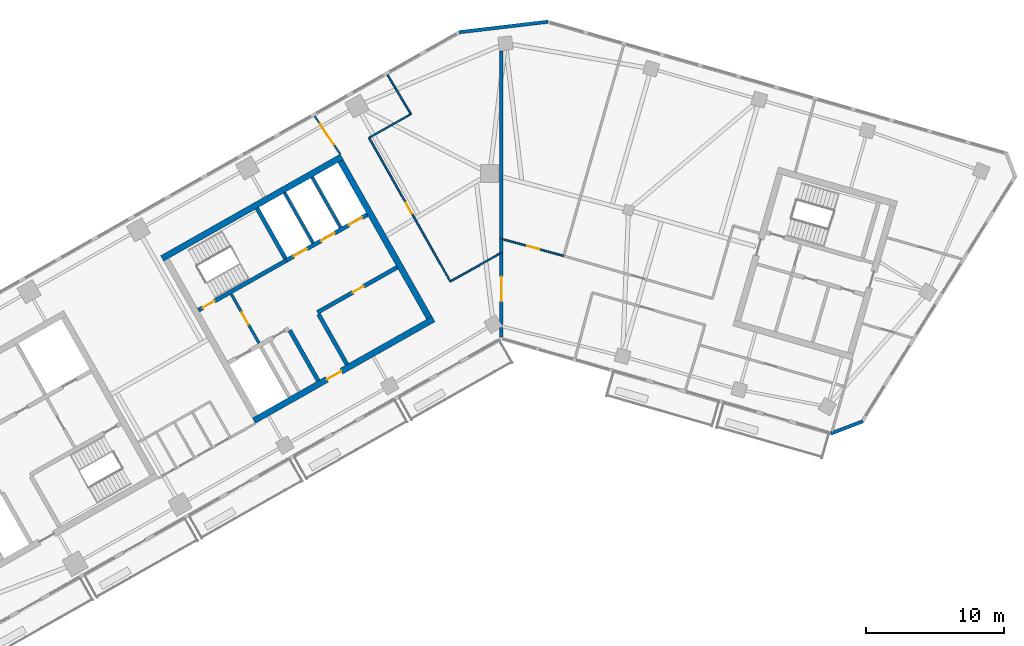
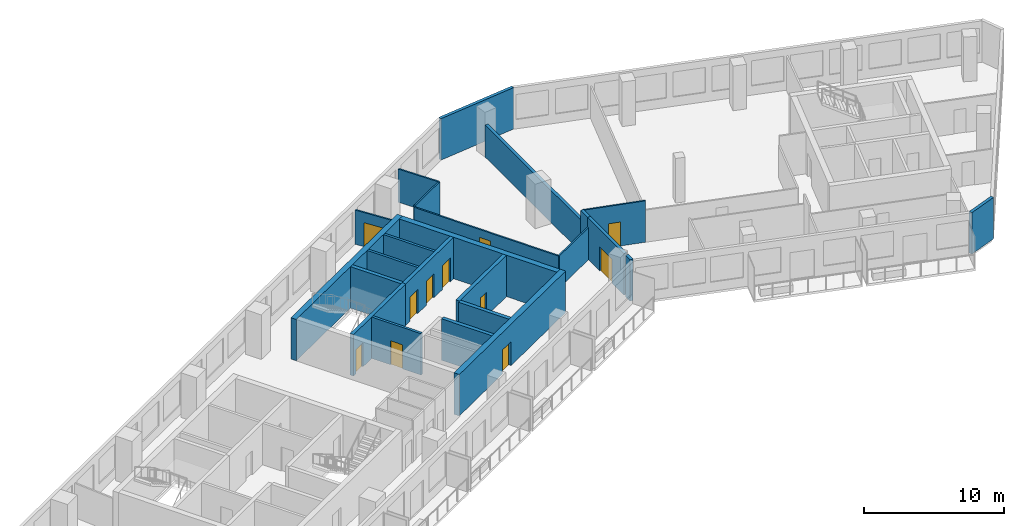
# One storey, part 6 of 12: 24 walls, 11 doors, 11 openings.
"""IFC4 building model written with IfcOpenShell, lengths in metres."""

from ifc_helpers import new_model, si_unit, direction, frame, frame_2d, origin, place, context, subcontext, project, spatial, rectangle, extrude, material, layer, layer_set, type_object, element, fill, save


model = new_model("IFC4")

# Units and contexts
model_context = context("Model", 3, precision=1e-05, world=origin(), true_north=direction((0.0, 1.0)))
body_context = subcontext(model_context, "Body", "Model", "MODEL_VIEW")
ifc_project = project(units=[si_unit("LENGTHUNIT", "METRE"), si_unit("AREAUNIT", "SQUARE_METRE"), si_unit("VOLUMEUNIT", "CUBIC_METRE"), si_unit("PLANEANGLEUNIT", "RADIAN"), si_unit("MASSUNIT", "GRAM", prefix="KILO")], contexts=[model_context])

# Site, building, storey
site_placement = place(None, origin())
site = spatial("IfcSite", under=ifc_project, at=site_placement, CompositionType="ELEMENT")
building_placement = place(site_placement, origin())
building = spatial("IfcBuilding", under=site, at=building_placement, Name="Binnacle Exchange Tower", CompositionType="ELEMENT")
storey_placement = place(building_placement, frame((0.0, 0.0, 250.39990234375)))
storey = spatial("IfcBuildingStorey", under=building, at=storey_placement, Name="L55", CompositionType="ELEMENT", Elevation=250.39990234375)

# Wall, opening, door
ifc_material_1 = material(Name="Concrete C70/85", Category="concrete")
ifc_layer_1 = layer(ifc_material_1, 0.300048828125)
ifc_layer_set_1 = layer_set([ifc_layer_1], Name="Core wall - front 300")
wall_type_1 = type_object("IfcWallType", Name="Core wall - front 300", PredefinedType="SOLIDWALL", material=ifc_layer_set_1)
wall_1_placement = place(storey_placement, frame((-13.364501953125, 49.910888671875, 0.0), z_axis=(0.0, 0.0, 1.0), x_axis=(0.870352159619, 0.492429810477, 0.0)))
wall_1 = element("IfcWall", 1, at=wall_1_placement, inside=storey, type_object=wall_type_1, Name="Core wall CRWC3", PredefinedType="SOLIDWALL", context=body_context, shape_type="SweptSolid", body=[
    extrude(rectangle(XDim=6.64990234375, YDim=0.300048828125, at=frame_2d((3.324951171875, 0.0))), origin(), (0.0, 0.0, 1.0), 3.6201171875),
])
opening_1_placement = place(wall_1_placement, frame((2.949951171875, 0.0, 0.0)))
opening_1 = element("IfcOpeningElement", 2, at=opening_1_placement, cuts=wall_1, Name="Opening DC18", PredefinedType="OPENING", context=body_context, shape_type="SweptSolid", body=[
    extrude(rectangle(XDim=0.89990234375, YDim=2.10009765625, at=frame_2d((0.449951171875, 1.050048828125))), frame((0.0, 0.159912109375, 0.0), z_axis=(0.0, -1.0, 0.0), x_axis=(1.0, 0.0, 0.0)), (0.0, 0.0, 1.0), 0.320068359375),
])
ifc_material_2 = material(Name="Steel door leaf", Category="steel")
door_type_1 = type_object("IfcDoorType", Name="Fire door 900", OperationType="NOTDEFINED", PredefinedType="DOOR", material=ifc_material_2)
door_1_placement = place(opening_1_placement, frame((0.89990234375, 0.0, 0.0), z_axis=(0.0, 0.0, 1.0), x_axis=(-1.0, 0.0, 0.0)))
door_1 = element("IfcDoor", 3, at=door_1_placement, inside=storey, type_object=door_type_1, Name="Core room door STAFF PANTRY AND STORE", OperationType="SINGLE_SWING_LEFT", OverallHeight=2.10009765625, OverallWidth=0.89990234375, PredefinedType="DOOR", context=body_context, shape_type="SweptSolid", body=[
    extrude(rectangle(XDim=0.89990234375, YDim=2.10009765625, at=frame_2d((0.449951171875, 1.050048828125))), frame((0.0, 0.02490234375, 0.0), z_axis=(0.0, -1.0, 0.0), x_axis=(1.0, 0.0, 0.0)), (0.0, 0.0, 1.0), 0.050048828125),
])
fill(opening_1, door_1)

# Wall, openings, doors
wall_2_placement = place(storey_placement, frame((-15.6181640625, 53.69140625, 0.0), z_axis=(0.0, 0.0, 1.0), x_axis=(0.870358646884, 0.492418344291, 0.0)))
wall_2 = element("IfcWall", 4, at=wall_2_placement, inside=storey, type_object=wall_type_1, Name="Core wall CRWC5", PredefinedType="SOLIDWALL", context=body_context, shape_type="SweptSolid", body=[
    extrude(rectangle(XDim=6.749755859375, YDim=0.300048828125, at=frame_2d((3.375, 0.0))), origin(), (0.0, 0.0, 1.0), 3.6201171875),
])
opening_2_placement = place(wall_2_placement, frame((0.60009765625, 0.0, 0.0)))
opening_2 = element("IfcOpeningElement", 5, at=opening_2_placement, cuts=wall_2, Name="Opening LD5", PredefinedType="OPENING", context=body_context, shape_type="SweptSolid", body=[
    extrude(rectangle(XDim=1.10009765625, YDim=2.10009765625, at=frame_2d((0.550048828125, 1.050048828125))), frame((0.0, 0.159912109375, 0.0), z_axis=(0.0, -1.0, 0.0), x_axis=(1.0, 0.0, 0.0)), (0.0, 0.0, 1.0), 0.320068359375),
])
opening_3_placement = place(wall_2_placement, frame((2.89990234375, 0.0, 0.0)))
opening_3 = element("IfcOpeningElement", 6, at=opening_3_placement, cuts=wall_2, Name="Opening LD6", PredefinedType="OPENING", context=body_context, shape_type="SweptSolid", body=[
    extrude(rectangle(XDim=1.10009765625, YDim=2.10009765625, at=frame_2d((0.550048828125, 1.050048828125))), frame((0.0, 0.159912109375, 0.0), z_axis=(0.0, -1.0, 0.0), x_axis=(1.0, 0.0, 0.0)), (0.0, 0.0, 1.0), 0.320068359375),
])
opening_4_placement = place(wall_2_placement, frame((5.199951171875, 0.0, 0.0)))
opening_4 = element("IfcOpeningElement", 7, at=opening_4_placement, cuts=wall_2, Name="Opening LD7", PredefinedType="OPENING", context=body_context, shape_type="SweptSolid", body=[
    extrude(rectangle(XDim=1.10009765625, YDim=2.10009765625, at=frame_2d((0.550048828125, 1.050048828125))), frame((0.0, 0.159912109375, 0.0), z_axis=(0.0, -1.0, 0.0), x_axis=(1.0, 0.0, 0.0)), (0.0, 0.0, 1.0), 0.320068359375),
])
door_type_2 = type_object("IfcDoorType", Name="Fire door - lift landing 1100", OperationType="NOTDEFINED", PredefinedType="DOOR", material=ifc_material_2)
door_2_placement = place(opening_2_placement, origin())
door_2 = element("IfcDoor", 8, at=door_2_placement, inside=storey, type_object=door_type_2, Name="Landing door LD5 L55", OperationType="DOUBLE_DOOR_SLIDING", OverallHeight=2.10009765625, OverallWidth=1.10009765625, PredefinedType="DOOR", context=body_context, shape_type="SweptSolid", body=[
    extrude(rectangle(XDim=1.10009765625, YDim=2.10009765625, at=frame_2d((0.550048828125, 1.050048828125))), frame((0.0, 0.02490234375, 0.0), z_axis=(0.0, -1.0, 0.0), x_axis=(1.0, 0.0, 0.0)), (0.0, 0.0, 1.0), 0.050048828125),
])
fill(opening_2, door_2)
door_3_placement = place(opening_3_placement, origin())
door_3 = element("IfcDoor", 9, at=door_3_placement, inside=storey, type_object=door_type_2, Name="Landing door LD6 L55", OperationType="DOUBLE_DOOR_SLIDING", OverallHeight=2.10009765625, OverallWidth=1.10009765625, PredefinedType="DOOR", context=body_context, shape_type="SweptSolid", body=[
    extrude(rectangle(XDim=1.10009765625, YDim=2.10009765625, at=frame_2d((0.550048828125, 1.050048828125))), frame((0.0, 0.02490234375, 0.0), z_axis=(0.0, -1.0, 0.0), x_axis=(1.0, 0.0, 0.0)), (0.0, 0.0, 1.0), 0.050048828125),
])
fill(opening_3, door_3)
door_4_placement = place(opening_4_placement, origin())
door_4 = element("IfcDoor", 10, at=door_4_placement, inside=storey, type_object=door_type_2, Name="Landing door LD7 L55", OperationType="DOUBLE_DOOR_SLIDING", OverallHeight=2.10009765625, OverallWidth=1.10009765625, PredefinedType="DOOR", context=body_context, shape_type="SweptSolid", body=[
    extrude(rectangle(XDim=1.10009765625, YDim=2.10009765625, at=frame_2d((0.550048828125, 1.050048828125))), frame((0.0, 0.02490234375, 0.0), z_axis=(0.0, -1.0, 0.0), x_axis=(1.0, 0.0, 0.0)), (0.0, 0.0, 1.0), 0.050048828125),
])
fill(opening_4, door_4)

# Walls
for number, where, z_axis, x_axis, name in (
    (11, (-15.37939453125, 48.5986328125, 0.0), (0.0, 0.0, 1.0), (0.492409653846, -0.870363563575, 0.0), "Core wall CRWC13"),
    (12, (-13.29052734375, 49.780517578125, 0.0), (0.0, 0.0, 1.0), (0.492409653846, -0.870363563575, 0.0), "Core wall CRWC15"),
):
    element("IfcWall", number, at=place(storey_placement, frame(where, z_axis=z_axis, x_axis=x_axis)), inside=storey, type_object=wall_type_1, Name=name, PredefinedType="SOLIDWALL", context=body_context, shape_type="SweptSolid", body=[
        extrude(rectangle(XDim=4.199951171875, YDim=0.300048828125, at=frame_2d((2.10009765625, 0.0))), origin(), (0.0, 0.0, 1.0), 3.6201171875),
    ])

# Wall, opening, door
ifc_layer_2 = layer(ifc_material_1, 0.449951171875)
ifc_layer_set_2 = layer_set([ifc_layer_2], Name="Core wall - outer 450")
wall_type_2 = type_object("IfcWallType", Name="Core wall - outer 450", PredefinedType="SOLIDWALL", material=ifc_layer_set_2)
wall_3_placement = place(storey_placement, frame((-17.987548828125, 42.0390625, 0.0), z_axis=(0.0, 0.0, 1.0), x_axis=(0.870360574057, 0.492414937962, 0.0)))
wall_3 = element("IfcWall", 13, at=wall_3_placement, inside=storey, type_object=wall_type_2, Name="Core wall CRWC1", PredefinedType="SOLIDWALL", context=body_context, shape_type="SweptSolid", body=[
    extrude(rectangle(XDim=15.0, YDim=0.449951171875, at=frame_2d((7.5, 0.0))), origin(), (0.0, 0.0, 1.0), 3.6201171875),
])
opening_5_placement = place(wall_3_placement, frame((6.10009765625, 0.0, 0.0)))
opening_5 = element("IfcOpeningElement", 14, at=opening_5_placement, cuts=wall_3, Name="Opening DC7", PredefinedType="OPENING", context=body_context, shape_type="SweptSolid", body=[
    extrude(rectangle(XDim=1.199951171875, YDim=2.10009765625, at=frame_2d((0.60009765625, 1.050048828125))), frame((0.0, 0.23486328125, 0.0), z_axis=(0.0, -1.0, 0.0), x_axis=(1.0, 0.0, 0.0)), (0.0, 0.0, 1.0), 0.469970703125),
])
door_type_3 = type_object("IfcDoorType", Name="Fire door 1200", OperationType="NOTDEFINED", PredefinedType="DOOR", material=ifc_material_2)
door_5_placement = place(opening_5_placement, frame((1.199951171875, 0.0, 0.0), z_axis=(0.0, 0.0, 1.0), x_axis=(-1.0, 0.0, 0.0)))
door_5 = element("IfcDoor", 15, at=door_5_placement, inside=storey, type_object=door_type_3, Name="Lift lobby entrance door core C", OperationType="SINGLE_SWING_RIGHT", OverallHeight=2.10009765625, OverallWidth=1.199951171875, PredefinedType="DOOR", context=body_context, shape_type="SweptSolid", body=[
    extrude(rectangle(XDim=1.199951171875, YDim=2.10009765625, at=frame_2d((0.60009765625, 1.050048828125))), frame((0.0, 0.02490234375, 0.0), z_axis=(0.0, -1.0, 0.0), x_axis=(1.0, 0.0, 0.0)), (0.0, 0.0, 1.0), 0.050048828125),
])
fill(opening_5, door_5)

# Walls
wall_4_placement = place(storey_placement, frame((-24.659912109375, 53.832275390625, 0.0), z_axis=(0.0, 0.0, 1.0), x_axis=(0.870353598469, 0.492427267353, 0.0)))
element("IfcWall", 16, at=wall_4_placement, inside=storey, type_object=wall_type_2, Name="Core wall CRWC6", PredefinedType="SOLIDWALL", context=body_context, shape_type="SweptSolid", body=[
    extrude(rectangle(XDim=15.000244140625, YDim=0.449951171875, at=frame_2d((7.5, 0.0))), origin(), (0.0, 0.0, 1.0), 3.6201171875),
])
wall_5_placement = place(storey_placement, frame((-11.689453125, 60.912109375, 0.0), z_axis=(0.0, 0.0, 1.0), x_axis=(0.492421378713, -0.870356930107, 0.0)))
element("IfcWall", 17, at=wall_5_placement, inside=storey, type_object=wall_type_2, Name="Core wall CRWC24", PredefinedType="SOLIDWALL", context=body_context, shape_type="SweptSolid", body=[
    extrude(rectangle(XDim=13.099853515625, YDim=0.449951171875, at=frame_2d((6.5498046875, 0.0))), origin(), (0.0, 0.0, 1.0), 3.6201171875),
])

# Wall, opening, door
ifc_layer_3 = layer(ifc_material_1, 0.300048828125)
ifc_layer_set_3 = layer_set([ifc_layer_3], Name="Core wall - stair 300")
wall_type_3 = type_object("IfcWallType", Name="Core wall - stair 300", PredefinedType="SOLIDWALL", material=ifc_layer_set_3)
wall_6_placement = place(storey_placement, frame((-22.015380859375, 50.072021484375, 0.0), z_axis=(0.0, 0.0, 1.0), x_axis=(0.870354900257, 0.492424966466, 0.0)))
wall_6 = element("IfcWall", 18, at=wall_6_placement, inside=storey, type_object=wall_type_3, Name="Core wall CRWC4", PredefinedType="SOLIDWALL", context=body_context, shape_type="SweptSolid", body=[
    extrude(rectangle(XDim=7.35009765625, YDim=0.300048828125, at=frame_2d((3.675048828125, 0.0))), origin(), (0.0, 0.0, 1.0), 3.6201171875),
])
opening_6_placement = place(wall_6_placement, frame((0.35009765625, 0.0, 0.0)))
opening_6 = element("IfcOpeningElement", 19, at=opening_6_placement, cuts=wall_6, Name="Opening DC1", PredefinedType="OPENING", context=body_context, shape_type="SweptSolid", body=[
    extrude(rectangle(XDim=1.0, YDim=2.10009765625, at=frame_2d((0.5, 1.050048828125))), frame((0.0, 0.159912109375, 0.0), z_axis=(0.0, -1.0, 0.0), x_axis=(1.0, 0.0, 0.0)), (0.0, 0.0, 1.0), 0.320068359375),
])
door_type_4 = type_object("IfcDoorType", Name="Fire door 1000", OperationType="NOTDEFINED", PredefinedType="DOOR", material=ifc_material_2)
door_6_placement = place(opening_6_placement, origin())
door_6 = element("IfcDoor", 20, at=door_6_placement, inside=storey, type_object=door_type_4, Name="Stair door ST-C1", OperationType="SINGLE_SWING_LEFT", OverallHeight=2.10009765625, OverallWidth=1.0, PredefinedType="DOOR", context=body_context, shape_type="SweptSolid", body=[
    extrude(rectangle(XDim=1.0, YDim=2.10009765625, at=frame_2d((0.5, 1.050048828125))), frame((0.0, 0.02490234375, 0.0), z_axis=(0.0, -1.0, 0.0), x_axis=(1.0, 0.0, 0.0)), (0.0, 0.0, 1.0), 0.050048828125),
])
fill(opening_6, door_6)

# Walls
wall_7_placement = place(storey_placement, frame((-17.76025390625, 57.477294921875, 0.0), z_axis=(0.0, 0.0, 1.0), x_axis=(0.49243456751, -0.870349468157, 0.0)))
element("IfcWall", 21, at=wall_7_placement, inside=storey, type_object=wall_type_3, Name="Core wall CRWC14", PredefinedType="SOLIDWALL", context=body_context, shape_type="SweptSolid", body=[
    extrude(rectangle(XDim=4.19970703125, YDim=0.300048828125, at=frame_2d((2.099853515625, 0.0))), origin(), (0.0, 0.0, 1.0), 3.6201171875),
])
ifc_material_3 = material(Name="Bronze aluminium cladding", Category="aluminium")
ifc_layer_4 = layer(ifc_material_3, 0.25)
ifc_layer_set_4 = layer_set([ifc_layer_4], Name="External wall - window wall 250")
wall_type_4 = type_object("IfcWallType", Name="External wall - window wall 250", PredefinedType="STANDARD", material=ifc_layer_set_4)
wall_8_placement = place(storey_placement, frame((26.27001953125, 41.993408203125, 0.0), z_axis=(0.0, 0.0, 1.0), x_axis=(-0.933573798066, -0.358385216722, 0.0)))
element("IfcWall", 22, at=wall_8_placement, inside=storey, type_object=wall_type_4, Name="External wall EW-G03 L55", PredefinedType="STANDARD", context=body_context, shape_type="SweptSolid", body=[
    extrude(rectangle(XDim=2.479736328125, YDim=0.25, at=frame_2d((1.23974609375, 0.0))), origin(), (0.0, 0.0, 1.0), 3.6201171875),
])
wall_9_placement = place(storey_placement, frame((-3.0712890625, 70.2734375, 0.0), z_axis=(0.0, 0.0, 1.0), x_axis=(0.993064524962, 0.11757061394, 0.0)))
element("IfcWall", 23, at=wall_9_placement, inside=storey, type_object=wall_type_4, Name="External wall EW-G07 L55", PredefinedType="STANDARD", context=body_context, shape_type="SweptSolid", body=[
    extrude(rectangle(XDim=6.505859375, YDim=0.25, at=frame_2d((3.2529296875, 0.0))), origin(), (0.0, 0.0, 1.0), 3.6201171875),
])
ifc_material_4 = material(Name="Concrete fire wall C30/37", Category="concrete")
ifc_layer_5 = layer(ifc_material_4, 0.25)
ifc_layer_set_5 = layer_set([ifc_layer_5], Name="Fire wall - compartment 250")
wall_type_5 = type_object("IfcWallType", Name="Fire wall - compartment 250", PredefinedType="PARTITIONING", material=ifc_layer_set_5)
wall_10_placement = place(storey_placement, frame((0.0, 48.1298828125, 0.0), z_axis=(0.0, 0.0, 1.0), x_axis=(0.0, 1.0, 0.0)))
element("IfcWall", 24, at=wall_10_placement, inside=storey, type_object=wall_type_5, Name="Fire Wall W21", PredefinedType="PARTITIONING", context=body_context, shape_type="SweptSolid", body=[
    extrude(rectangle(XDim=0.674072265625, YDim=0.25, at=frame_2d((0.3369140625, 0.0))), origin(), (0.0, 0.0, 1.0), 3.6201171875),
])

# Wall, opening, door
wall_11_placement = place(storey_placement, frame((0.0, 49.014892578125, 0.0), z_axis=(0.0, 0.0, 1.0), x_axis=(0.0, 1.0, 0.0)))
wall_11 = element("IfcWall", 25, at=wall_11_placement, inside=storey, type_object=wall_type_5, Name="Fire Wall W22", PredefinedType="PARTITIONING", context=body_context, shape_type="SweptSolid", body=[
    extrude(rectangle(XDim=5.235107421875, YDim=0.25, at=frame_2d((2.61767578125, 0.0))), origin(), (0.0, 0.0, 1.0), 3.6201171875),
])
opening_7_placement = place(wall_11_placement, frame((1.699951171875, 0.0, 0.0)))
opening_7 = element("IfcOpeningElement", 26, at=opening_7_placement, cuts=wall_11, Name="Opening DL55-14", PredefinedType="OPENING", context=body_context, shape_type="SweptSolid", body=[
    extrude(rectangle(XDim=1.800048828125, YDim=2.10009765625, at=frame_2d((0.89990234375, 1.050048828125))), frame((0.0, 0.135009765625, 0.0), z_axis=(0.0, -1.0, 0.0), x_axis=(1.0, 0.0, 0.0)), (0.0, 0.0, 1.0), 0.27001953125),
])
door_type_5 = type_object("IfcDoorType", Name="Fire door 1800", OperationType="NOTDEFINED", PredefinedType="DOOR", material=ifc_material_2)
door_7_placement = place(opening_7_placement, origin())
door_7 = element("IfcDoor", 27, at=door_7_placement, inside=storey, type_object=door_type_5, Name="Door DL55-14", OperationType="DOUBLE_DOOR_SINGLE_SWING", OverallHeight=2.10009765625, OverallWidth=1.800048828125, PredefinedType="DOOR", context=body_context, shape_type="SweptSolid", body=[
    extrude(rectangle(XDim=1.800048828125, YDim=2.10009765625, at=frame_2d((0.89990234375, 1.050048828125))), frame((0.0, 0.02490234375, 0.0), z_axis=(0.0, -1.0, 0.0), x_axis=(1.0, 0.0, 0.0)), (0.0, 0.0, 1.0), 0.050048828125),
])
fill(opening_7, door_7)

# Walls
wall_12_placement = place(storey_placement, frame((0.0, 54.25, 0.0), z_axis=(0.0, 0.0, 1.0), x_axis=(0.0, 1.0, 0.0)))
element("IfcWall", 28, at=wall_12_placement, inside=storey, type_object=wall_type_5, Name="Fire Wall W23", PredefinedType="PARTITIONING", context=body_context, shape_type="SweptSolid", body=[
    extrude(rectangle(XDim=1.0, YDim=0.25, at=frame_2d((0.5, 0.0))), origin(), (0.0, 0.0, 1.0), 3.6201171875),
])
wall_13_placement = place(storey_placement, frame((0.0, 55.25, 0.0), z_axis=(0.0, 0.0, 1.0), x_axis=(0.0, 1.0, 0.0)))
element("IfcWall", 29, at=wall_13_placement, inside=storey, type_object=wall_type_5, Name="Fire Wall W24", PredefinedType="PARTITIONING", context=body_context, shape_type="SweptSolid", body=[
    extrude(rectangle(XDim=13.675048828125, YDim=0.25, at=frame_2d((6.83740234375, 0.0))), origin(), (0.0, 0.0, 1.0), 2.800048828125),
])

# Wall, opening, door
ifc_material_5 = material(Name="Masonry block wall", Category="masonry")
ifc_layer_6 = layer(ifc_material_5, 0.199951171875)
ifc_layer_set_6 = layer_set([ifc_layer_6], Name="Fire wall - vestibule 200")
wall_type_6 = type_object("IfcWallType", Name="Fire wall - vestibule 200", PredefinedType="PARTITIONING", material=ifc_layer_set_6)
wall_14_placement = place(storey_placement, frame((-19.635009765625, 51.246337890625, 0.0), z_axis=(0.0, 0.0, 1.0), x_axis=(0.492408451753, -0.87036424366, 0.0)))
wall_14 = element("IfcWall", 30, at=wall_14_placement, inside=storey, type_object=wall_type_6, Name="Core wall CRWC10", PredefinedType="PARTITIONING", context=body_context, shape_type="SweptSolid", body=[
    extrude(rectangle(XDim=4.099853515625, YDim=0.199951171875, at=frame_2d((2.0498046875, 0.0))), origin(), (0.0, 0.0, 1.0), 3.6201171875),
])
opening_8_placement = place(wall_14_placement, frame((1.550048828125, 0.0, 0.0)))
opening_8 = element("IfcOpeningElement", 31, at=opening_8_placement, cuts=wall_14, Name="Opening DC3", PredefinedType="OPENING", context=body_context, shape_type="SweptSolid", body=[
    extrude(rectangle(XDim=1.0, YDim=2.10009765625, at=frame_2d((0.5, 1.050048828125))), frame((0.0, 0.10986328125, 0.0), z_axis=(0.0, -1.0, 0.0), x_axis=(1.0, 0.0, 0.0)), (0.0, 0.0, 1.0), 0.219970703125),
])
door_8_placement = place(opening_8_placement, frame((1.0, 0.0, 0.0), z_axis=(0.0, 0.0, 1.0), x_axis=(-1.0, 0.0, 0.0)))
door_8 = element("IfcDoor", 32, at=door_8_placement, inside=storey, type_object=door_type_4, Name="Vestibule door VEST-W", OperationType="SINGLE_SWING_RIGHT", OverallHeight=2.10009765625, OverallWidth=1.0, PredefinedType="DOOR", context=body_context, shape_type="SweptSolid", body=[
    extrude(rectangle(XDim=1.0, YDim=2.10009765625, at=frame_2d((0.5, 1.050048828125))), frame((0.0, 0.02490234375, 0.0), z_axis=(0.0, -1.0, 0.0), x_axis=(1.0, 0.0, 0.0)), (0.0, 0.0, 1.0), 0.050048828125),
])
fill(opening_8, door_8)

ifc_material_6 = material(Name="Gypsum partition")
ifc_layer_7 = layer(ifc_material_6, 0.125)
ifc_layer_set_7 = layer_set([ifc_layer_7], Name="Partition 125")
wall_type_7 = type_object("IfcWallType", Name="Partition 125", PredefinedType="PARTITIONING", material=ifc_layer_set_7)
wall_15_placement = place(storey_placement, frame((-13.571044921875, 64.177978515625, 0.0), z_axis=(0.0, 0.0, 1.0), x_axis=(0.557472457511, -0.830195434291, 0.0)))
wall_15 = element("IfcWall", 33, at=wall_15_placement, inside=storey, type_object=wall_type_7, Name="Partition W16", PredefinedType="PARTITIONING", context=body_context, shape_type="SweptSolid", body=[
    extrude(rectangle(XDim=3.329345703125, YDim=0.125, at=frame_2d((1.66455078125, 0.0))), origin(), (0.0, 0.0, 1.0), 2.988037109375),
])
opening_9_placement = place(wall_15_placement, frame((0.699951171875, 0.0, 0.0)))
opening_9 = element("IfcOpeningElement", 34, at=opening_9_placement, cuts=wall_15, Name="Opening DL55-06", PredefinedType="OPENING", context=body_context, shape_type="SweptSolid", body=[
    extrude(rectangle(XDim=1.800048828125, YDim=2.10009765625, at=frame_2d((0.89990234375, 1.050048828125))), frame((0.0, 0.072509765625, 0.0), z_axis=(0.0, -1.0, 0.0), x_axis=(1.0, 0.0, 0.0)), (0.0, 0.0, 1.0), 0.14501953125),
])
ifc_material_7 = material(Name="Timber door leaf", Category="wood")
door_type_6 = type_object("IfcDoorType", Name="Double door 1800", OperationType="NOTDEFINED", PredefinedType="DOOR", material=ifc_material_7)
door_9_placement = place(opening_9_placement, frame((1.800048828125, 0.0, 0.0), z_axis=(0.0, 0.0, 1.0), x_axis=(-1.0, 0.0, 0.0)))
door_9 = element("IfcDoor", 35, at=door_9_placement, inside=storey, type_object=door_type_6, Name="Door DL55-06", OperationType="DOUBLE_DOOR_SINGLE_SWING", OverallHeight=2.10009765625, OverallWidth=1.800048828125, PredefinedType="DOOR", context=body_context, shape_type="SweptSolid", body=[
    extrude(rectangle(XDim=1.800048828125, YDim=2.10009765625, at=frame_2d((0.89990234375, 1.050048828125))), frame((0.0, 0.02490234375, 0.0), z_axis=(0.0, -1.0, 0.0), x_axis=(1.0, 0.0, 0.0)), (0.0, 0.0, 1.0), 0.050048828125),
])
fill(opening_9, door_9)

# Wall
wall_16_placement = place(storey_placement, frame((-9.617919921875, 62.60107421875, 0.0), z_axis=(0.0, 0.0, 1.0), x_axis=(0.870402970255, 0.492339993675, 0.0)))
element("IfcWall", 36, at=wall_16_placement, inside=storey, type_object=wall_type_7, Name="Partition W17", PredefinedType="PARTITIONING", context=body_context, shape_type="SweptSolid", body=[
    extrude(rectangle(XDim=3.49951171875, YDim=0.125, at=frame_2d((1.749755859375, 0.0))), origin(), (0.0, 0.0, 1.0), 2.900146484375),
])

# Wall, opening, door
wall_17_placement = place(storey_placement, frame((-9.617919921875, 62.60107421875, 0.0), z_axis=(0.0, 0.0, 1.0), x_axis=(0.492420575123, -0.870357384754, 0.0)))
wall_17 = element("IfcWall", 37, at=wall_17_placement, inside=storey, type_object=wall_type_7, Name="Partition W18", PredefinedType="PARTITIONING", context=body_context, shape_type="SweptSolid", body=[
    extrude(rectangle(XDim=11.999755859375, YDim=0.125, at=frame_2d((6.0, 0.0))), origin(), (0.0, 0.0, 1.0), 2.800048828125),
])
opening_10_placement = place(wall_17_placement, frame((5.449951171875, 0.0, 0.0)))
opening_10 = element("IfcOpeningElement", 38, at=opening_10_placement, cuts=wall_17, Name="Opening DL55-07", PredefinedType="OPENING", context=body_context, shape_type="SweptSolid", body=[
    extrude(rectangle(XDim=0.89990234375, YDim=2.10009765625, at=frame_2d((0.449951171875, 1.050048828125))), frame((0.0, 0.072509765625, 0.0), z_axis=(0.0, -1.0, 0.0), x_axis=(1.0, 0.0, 0.0)), (0.0, 0.0, 1.0), 0.14501953125),
])
door_type_7 = type_object("IfcDoorType", Name="Door 900", OperationType="NOTDEFINED", PredefinedType="DOOR", material=ifc_material_7)
door_10_placement = place(opening_10_placement, origin())
door_10 = element("IfcDoor", 39, at=door_10_placement, inside=storey, type_object=door_type_7, Name="Door DL55-07", OperationType="SINGLE_SWING_LEFT", OverallHeight=2.10009765625, OverallWidth=0.89990234375, PredefinedType="DOOR", context=body_context, shape_type="SweptSolid", body=[
    extrude(rectangle(XDim=0.89990234375, YDim=2.10009765625, at=frame_2d((0.449951171875, 1.050048828125))), frame((0.0, 0.02490234375, 0.0), z_axis=(0.0, -1.0, 0.0), x_axis=(1.0, 0.0, 0.0)), (0.0, 0.0, 1.0), 0.050048828125),
])
fill(opening_10, door_10)

# Walls
wall_18_placement = place(storey_placement, frame((-8.280029296875, 67.172119140625, 0.0), z_axis=(0.0, 0.0, 1.0), x_axis=(0.514301147355, -0.857609660527, 0.0)))
element("IfcWall", 40, at=wall_18_placement, inside=storey, type_object=wall_type_7, Name="Partition W19", PredefinedType="PARTITIONING", context=body_context, shape_type="SweptSolid", body=[
    extrude(rectangle(XDim=3.321044921875, YDim=0.125, at=frame_2d((1.66064453125, 0.0))), origin(), (0.0, 0.0, 1.0), 2.900146484375),
])
wall_19_placement = place(storey_placement, frame((-3.708984375, 52.156982421875, 0.0), z_axis=(0.0, 0.0, 1.0), x_axis=(0.870901087888, 0.491458335075, 0.0)))
element("IfcWall", 41, at=wall_19_placement, inside=storey, type_object=wall_type_7, Name="Partition W20", PredefinedType="PARTITIONING", context=body_context, shape_type="SweptSolid", body=[
    extrude(rectangle(XDim=4.2587890625, YDim=0.125, at=frame_2d((2.12939453125, 0.0))), origin(), (0.0, 0.0, 1.0), 2.800048828125),
])

# Wall, opening, door
wall_20_placement = place(storey_placement, frame((0.0, 55.25, 0.0), z_axis=(0.0, 0.0, 1.0), x_axis=(0.965016778836, -0.262188132005, 0.0)))
wall_20 = element("IfcWall", 42, at=wall_20_placement, inside=storey, type_object=wall_type_7, Name="Partition W25", PredefinedType="PARTITIONING", context=body_context, shape_type="SweptSolid", body=[
    extrude(rectangle(XDim=4.691162109375, YDim=0.125, at=frame_2d((2.345703125, 0.0))), origin(), (0.0, 0.0, 1.0), 3.6201171875),
])
opening_11_placement = place(wall_20_placement, frame((1.949951171875, 0.0, 0.0)))
opening_11 = element("IfcOpeningElement", 43, at=opening_11_placement, cuts=wall_20, Name="Opening DL55-08", PredefinedType="OPENING", context=body_context, shape_type="SweptSolid", body=[
    extrude(rectangle(XDim=0.89990234375, YDim=2.10009765625, at=frame_2d((0.449951171875, 1.050048828125))), frame((0.0, 0.072509765625, 0.0), z_axis=(0.0, -1.0, 0.0), x_axis=(1.0, 0.0, 0.0)), (0.0, 0.0, 1.0), 0.14501953125),
])
door_11_placement = place(opening_11_placement, origin())
door_11 = element("IfcDoor", 44, at=door_11_placement, inside=storey, type_object=door_type_7, Name="Door DL55-08", OperationType="SINGLE_SWING_RIGHT", OverallHeight=2.10009765625, OverallWidth=0.89990234375, PredefinedType="DOOR", context=body_context, shape_type="SweptSolid", body=[
    extrude(rectangle(XDim=0.89990234375, YDim=2.10009765625, at=frame_2d((0.449951171875, 1.050048828125))), frame((0.0, 0.02490234375, 0.0), z_axis=(0.0, -1.0, 0.0), x_axis=(1.0, 0.0, 0.0)), (0.0, 0.0, 1.0), 0.050048828125),
])
fill(opening_11, door_11)

# Walls
ifc_layer_8 = layer(ifc_material_5, 0.199951171875)
ifc_layer_set_8 = layer_set([ifc_layer_8], Name="Shaft wall 200")
wall_type_8 = type_object("IfcWallType", Name="Shaft wall 200", PredefinedType="SOLIDWALL", material=ifc_layer_set_8)
for number, where, z_axis, x_axis, name in (
    (45, (-15.75830078125, 58.60986328125, 0.0), (0.0, 0.0, 1.0), (0.492409653846, -0.870363563575, 0.0), "Core wall CRWC18"),
    (46, (-13.756591796875, 59.742431640625, 0.0), (0.0, 0.0, 1.0), (0.492409653846, -0.870363563575, 0.0), "Core wall CRWC21"),
):
    element("IfcWall", number, at=place(storey_placement, frame(where, z_axis=z_axis, x_axis=x_axis)), inside=storey, type_object=wall_type_8, Name=name, PredefinedType="SOLIDWALL", context=body_context, shape_type="SweptSolid", body=[
        extrude(rectangle(XDim=4.199951171875, YDim=0.199951171875, at=frame_2d((2.10009765625, 0.0))), origin(), (0.0, 0.0, 1.0), 3.6201171875),
    ])

save(model, "model.ifc")
